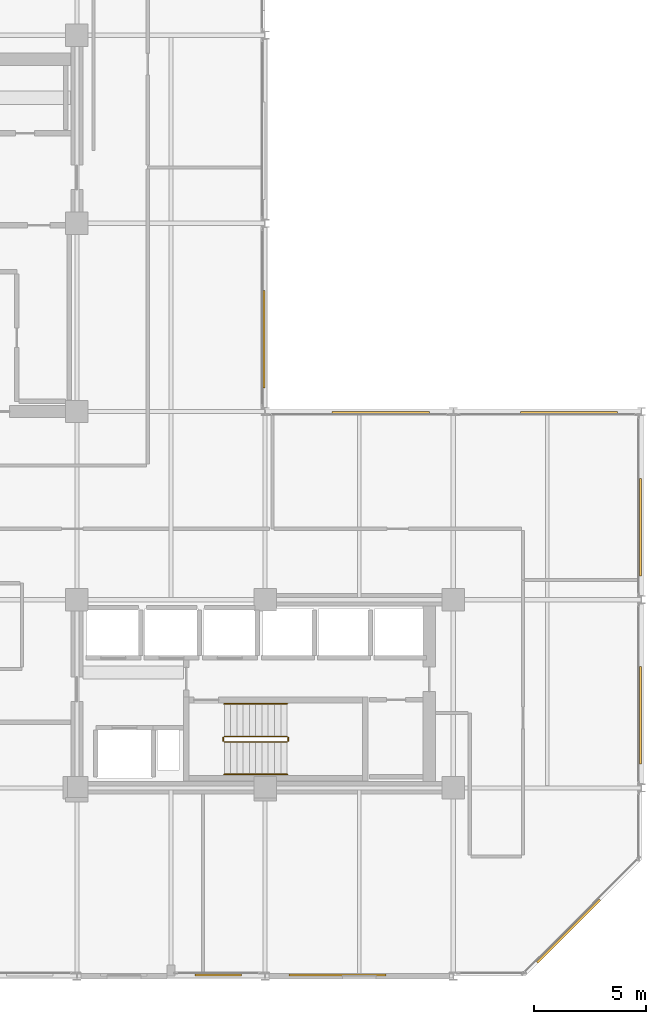
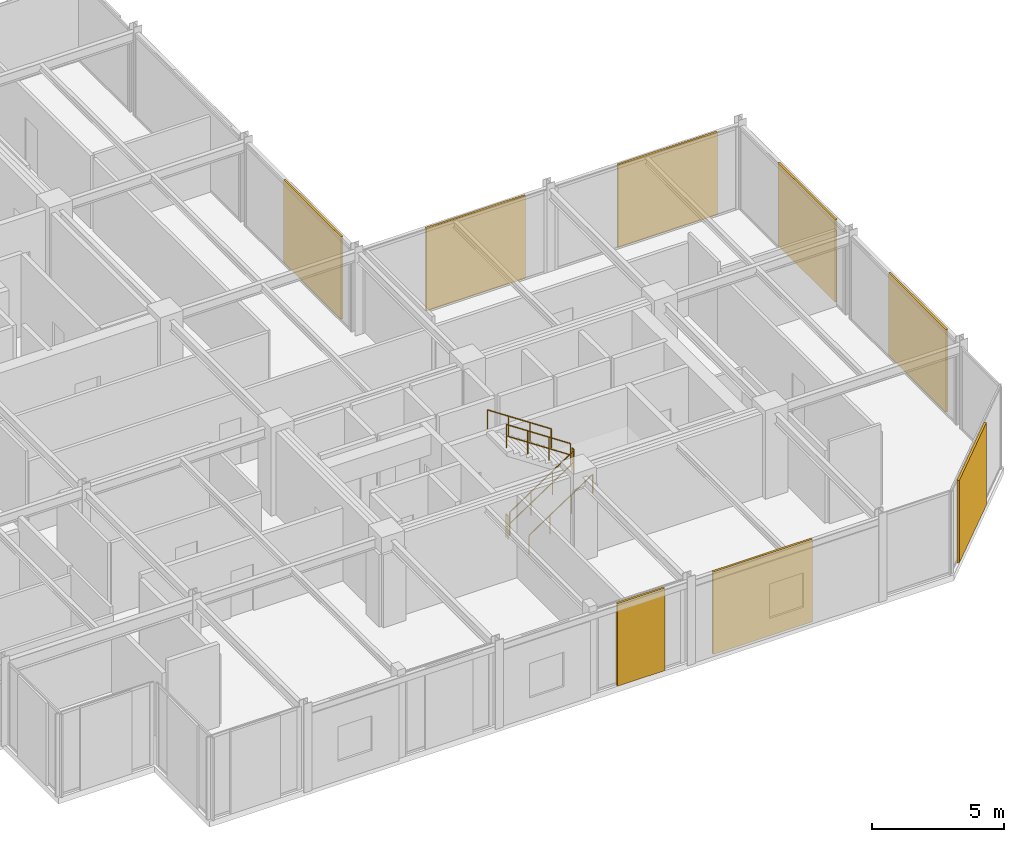
# One storey, part 28 of 29: 8 coverings, 6 railings.
"""IFC4 building model written with IfcOpenShell, lengths in metres."""

from ifc_helpers import new_model, si_unit, direction, frame, origin, origin_2d, place, context, subcontext, project, spatial, rectangle, circle, extrude, material, layer, layer_set, type_object, element, save


model = new_model("IFC4")

# Units and contexts
model_context = context("Model", 3, precision=1e-05, world=origin(), true_north=direction((0.0, 1.0)))
body_context = subcontext(model_context, "Body", "Model", "MODEL_VIEW")
ifc_project = project(units=[si_unit("LENGTHUNIT", "METRE"), si_unit("AREAUNIT", "SQUARE_METRE"), si_unit("VOLUMEUNIT", "CUBIC_METRE"), si_unit("PLANEANGLEUNIT", "RADIAN"), si_unit("MASSUNIT", "GRAM", prefix="KILO")], contexts=[model_context])

# Site, building, storey
site_placement = place(None, origin())
site = spatial("IfcSite", under=ifc_project, at=site_placement, CompositionType="ELEMENT")
building_placement = place(site_placement, origin())
building = spatial("IfcBuilding", under=site, at=building_placement, Name="Nerrivon Quay Data Exchange", CompositionType="ELEMENT")
storey_placement = place(building_placement, frame((0.0, 0.0, 200.10009765625)))
storey = spatial("IfcBuildingStorey", under=building, at=storey_placement, Name="L47", CompositionType="ELEMENT", Elevation=200.10009765625)

# Coverings
ifc_material_1 = material(Name="Architectural terracotta ceramic", Category="masonry")
ifc_layer = layer(ifc_material_1, 0.090087890625)
ifc_layer_set = layer_set([ifc_layer], Name="Architectural terracotta ceramic")
covering_type = type_object("IfcCoveringType", Name="COV-SCR-TERR", PredefinedType="CLADDING", material=ifc_layer_set)
for number, where, z_axis, x_axis, name in (
    (1, (25.155029296875, 28.43408203125, 0.0), (0.0, 0.0, 1.0), (0.0, -1.0, 0.0), "L47 Perforated Terracotta SOLAR SCREEN Cassette"),
    (2, (30.365966796875, 25.155029296875, 0.0), (0.0, 0.0, 1.0), (1.0, 0.0, 0.0), "L47 Perforated Terracotta SOLAR SCREEN Cassette"),
    (3, (38.76611328125, 25.155029296875, 0.0), (0.0, 0.0, 1.0), (1.0, 0.0, 0.0), "L47 Perforated Terracotta SOLAR SCREEN Cassette"),
    (4, (41.955078125, 20.033935546875, 0.0), (0.0, 0.0, 1.0), (0.0, -1.0, 0.0), "L47 Perforated Terracotta SOLAR SCREEN Cassette"),
    (5, (41.955078125, 11.634033203125, 0.0), (0.0, 0.0, 1.0), (0.0, -1.0, 0.0), "L47 Perforated Terracotta SOLAR SCREEN Cassette"),
):
    element("IfcCovering", number, at=place(storey_placement, frame(where, z_axis=z_axis, x_axis=x_axis)), inside=storey, type_object=covering_type, Name=name, PredefinedType="CLADDING", context=body_context, shape_type="SweptSolid", body=[
        extrude(rectangle(XDim=4.346923828125, YDim=0.090087890625, at=origin_2d()), origin(), (0.0, 0.0, 1.0), 3.824951171875),
    ])
covering_1_placement = place(storey_placement, frame((38.744140625, 2.0078125, 0.0), z_axis=(0.0, 0.0, 1.0), x_axis=(-0.707106781187, -0.707106781187, 0.0)))
element("IfcCovering", 6, at=covering_1_placement, inside=storey, type_object=covering_type, Name="L47 Perforated Terracotta SOLAR SCREEN Cassette", PredefinedType="CLADDING", context=body_context, shape_type="SweptSolid", body=[
    extrude(rectangle(XDim=3.970947265625, YDim=0.090087890625, at=origin_2d()), origin(), (0.0, 0.0, 1.0), 3.824951171875),
])
covering_2_placement = place(storey_placement, frame((28.43408203125, 0.044921875, 0.0), z_axis=(0.0, 0.0, 1.0), x_axis=(-1.0, 0.0, 0.0)))
element("IfcCovering", 7, at=covering_2_placement, inside=storey, type_object=covering_type, Name="L47 Perforated Terracotta SOLAR SCREEN Cassette", PredefinedType="CLADDING", context=body_context, shape_type="SweptSolid", body=[
    extrude(rectangle(XDim=4.346923828125, YDim=0.090087890625, at=origin_2d()), origin(), (0.0, 0.0, 1.0), 3.824951171875),
])
covering_3_placement = place(storey_placement, frame((23.10009765625, 0.044921875, 0.0), z_axis=(0.0, 0.0, 1.0), x_axis=(-1.0, 0.0, 0.0)))
element("IfcCovering", 8, at=covering_3_placement, inside=storey, type_object=covering_type, Name="L47 Perforated Terracotta SOLAR SCREEN Cassette", PredefinedType="CLADDING", context=body_context, shape_type="SweptSolid", body=[
    extrude(rectangle(XDim=2.0791015625, YDim=0.090087890625, at=origin_2d()), origin(), (0.0, 0.0, 1.0), 3.824951171875),
])

# Railings
ifc_material_2 = material(Name="Steel Grade C350L0 (350 MPa)", Category="steel")
railing_type_1 = type_object("IfcRailingType", Name="RAIL-HAND-HR1", PredefinedType="HANDRAIL", material=ifc_material_2)
railing_1_placement = place(storey_placement, frame((23.3798828125, 9.0, 0.186279296875)))
element("IfcRailing", 9, at=railing_1_placement, inside=storey, type_object=railing_type_1, Name="L47 ST02 stair handrail 1", PredefinedType="HANDRAIL", context=body_context, shape_type="SweptSolid", body=[
    extrude(circle(Radius=0.02392578125, at=origin_2d()), frame((0.0, 0.0, 0.8759765625), z_axis=(0.832485552168, 0.0, 0.554046753832), x_axis=(0.0, 1.0, 0.0)), (0.0, 0.0, 1.0), 3.363525390625),
    extrude(circle(Radius=0.02099609375, at=origin_2d()), origin(), (0.0, 0.0, 1.0), 0.851806640625),
    extrude(circle(Radius=0.02099609375, at=origin_2d()), frame((0.933349609375, 0.0, 0.62109375)), (0.0, 0.0, 1.0), 0.851806640625),
    extrude(circle(Radius=0.02099609375, at=origin_2d()), frame((1.86669921875, 0.0, 1.242431640625)), (0.0, 0.0, 1.0), 0.851806640625),
    extrude(circle(Radius=0.02099609375, at=origin_2d()), frame((2.800048828125, 0.0, 1.863525390625)), (0.0, 0.0, 1.0), 0.851806640625),
])
railing_2_placement = place(storey_placement, frame((26.179931640625, 12.14990234375, 2.236328125)))
element("IfcRailing", 10, at=railing_2_placement, inside=storey, type_object=railing_type_1, Name="L47 ST02 stair handrail 2", PredefinedType="HANDRAIL", context=body_context, shape_type="SweptSolid", body=[
    extrude(circle(Radius=0.02392578125, at=origin_2d()), frame((0.0, 0.0, 0.8759765625), z_axis=(-0.832485552168, 0.0, 0.554046753832), x_axis=(0.0, -1.0, 0.0)), (0.0, 0.0, 1.0), 3.363525390625),
    extrude(circle(Radius=0.02099609375, at=origin_2d()), origin(), (0.0, 0.0, 1.0), 0.851806640625),
    extrude(circle(Radius=0.02099609375, at=origin_2d()), frame((-0.933349609375, 0.0, 0.62109375)), (0.0, 0.0, 1.0), 0.851806640625),
    extrude(circle(Radius=0.02099609375, at=origin_2d()), frame((-1.86669921875, 0.0, 1.242431640625)), (0.0, 0.0, 1.0), 0.851806640625),
    extrude(circle(Radius=0.02099609375, at=origin_2d()), frame((-2.800048828125, 0.0, 1.863525390625)), (0.0, 0.0, 1.0), 0.851806640625),
])
railing_type_2 = type_object("IfcRailingType", Name="RAIL-STAIR-GR1", PredefinedType="BALUSTRADE", material=ifc_material_2)
railing_3_placement = place(storey_placement, frame((23.3798828125, 10.449951171875, 0.186279296875)))
element("IfcRailing", 11, at=railing_3_placement, inside=storey, type_object=railing_type_2, Name="L47 ST02 stair guard 1", PredefinedType="BALUSTRADE", context=body_context, shape_type="SweptSolid", body=[
    extrude(circle(Radius=0.02392578125, at=origin_2d()), frame((0.0, 0.0, 1.076171875), z_axis=(0.832485552168, 0.0, 0.554046753832), x_axis=(0.0, 1.0, 0.0)), (0.0, 0.0, 1.0), 3.363525390625),
    extrude(circle(Radius=0.02392578125, at=origin_2d()), frame((0.0, 0.0, 0.550048828125), z_axis=(0.832485552168, 0.0, 0.554046753832), x_axis=(0.0, 1.0, 0.0)), (0.0, 0.0, 1.0), 3.363525390625),
    extrude(circle(Radius=0.02099609375, at=origin_2d()), origin(), (0.0, 0.0, 1.0), 1.052001953125),
    extrude(circle(Radius=0.02099609375, at=origin_2d()), frame((0.933349609375, 0.0, 0.62109375)), (0.0, 0.0, 1.0), 1.052001953125),
    extrude(circle(Radius=0.02099609375, at=origin_2d()), frame((1.86669921875, 0.0, 1.242431640625)), (0.0, 0.0, 1.0), 1.052001953125),
    extrude(circle(Radius=0.02099609375, at=origin_2d()), frame((2.800048828125, 0.0, 1.863525390625)), (0.0, 0.0, 1.0), 1.052001953125),
])
railing_4_placement = place(storey_placement, frame((26.22998046875, 10.5, 2.0498046875)))
element("IfcRailing", 12, at=railing_4_placement, inside=storey, type_object=railing_type_2, Name="L47 ST02 stair guard 2", PredefinedType="BALUSTRADE", context=body_context, shape_type="SweptSolid", body=[
    extrude(circle(Radius=0.02392578125, at=origin_2d()), frame((0.0, 0.0, 1.076171875), z_axis=(0.0, 1.0, 0.0), x_axis=(-1.0, 0.0, 0.0)), (0.0, 0.0, 1.0), 0.14990234375),
    extrude(circle(Radius=0.02392578125, at=origin_2d()), frame((0.0, 0.0, 0.550048828125), z_axis=(0.0, 1.0, 0.0), x_axis=(-1.0, 0.0, 0.0)), (0.0, 0.0, 1.0), 0.14990234375),
    extrude(circle(Radius=0.02099609375, at=origin_2d()), origin(), (0.0, 0.0, 1.0), 1.052001953125),
    extrude(circle(Radius=0.02099609375, at=origin_2d()), frame((0.0, 0.14990234375, 0.0)), (0.0, 0.0, 1.0), 1.052001953125),
])
railing_5_placement = place(storey_placement, frame((26.179931640625, 10.699951171875, 2.236328125)))
element("IfcRailing", 13, at=railing_5_placement, inside=storey, type_object=railing_type_2, Name="L47 ST02 stair guard 3", PredefinedType="BALUSTRADE", context=body_context, shape_type="SweptSolid", body=[
    extrude(circle(Radius=0.02392578125, at=origin_2d()), frame((0.0, 0.0, 1.076171875), z_axis=(-0.832485552168, 0.0, 0.554046753832), x_axis=(0.0, -1.0, 0.0)), (0.0, 0.0, 1.0), 3.363525390625),
    extrude(circle(Radius=0.02392578125, at=origin_2d()), frame((0.0, 0.0, 0.550048828125), z_axis=(-0.832485552168, 0.0, 0.554046753832), x_axis=(0.0, -1.0, 0.0)), (0.0, 0.0, 1.0), 3.363525390625),
    extrude(circle(Radius=0.02099609375, at=origin_2d()), origin(), (0.0, 0.0, 1.0), 1.052001953125),
    extrude(circle(Radius=0.02099609375, at=origin_2d()), frame((-0.933349609375, 0.0, 0.62109375)), (0.0, 0.0, 1.0), 1.052001953125),
    extrude(circle(Radius=0.02099609375, at=origin_2d()), frame((-1.86669921875, 0.0, 1.242431640625)), (0.0, 0.0, 1.0), 1.052001953125),
    extrude(circle(Radius=0.02099609375, at=origin_2d()), frame((-2.800048828125, 0.0, 1.863525390625)), (0.0, 0.0, 1.0), 1.052001953125),
])
railing_6_placement = place(storey_placement, frame((23.330078125, 10.5, 0.0)))
element("IfcRailing", 14, at=railing_6_placement, inside=storey, type_object=railing_type_2, Name="L47 ST02 stair guard 4", PredefinedType="BALUSTRADE", context=body_context, shape_type="SweptSolid", body=[
    extrude(circle(Radius=0.02392578125, at=origin_2d()), frame((0.0, 0.0, 1.076171875), z_axis=(0.0, 1.0, 0.0), x_axis=(-1.0, 0.0, 0.0)), (0.0, 0.0, 1.0), 0.14990234375),
    extrude(circle(Radius=0.02392578125, at=origin_2d()), frame((0.0, 0.0, 0.550048828125), z_axis=(0.0, 1.0, 0.0), x_axis=(-1.0, 0.0, 0.0)), (0.0, 0.0, 1.0), 0.14990234375),
    extrude(circle(Radius=0.02099609375, at=origin_2d()), origin(), (0.0, 0.0, 1.0), 1.052001953125),
    extrude(circle(Radius=0.02099609375, at=origin_2d()), frame((0.0, 0.14990234375, 0.0)), (0.0, 0.0, 1.0), 1.052001953125),
])

save(model, "model.ifc")
